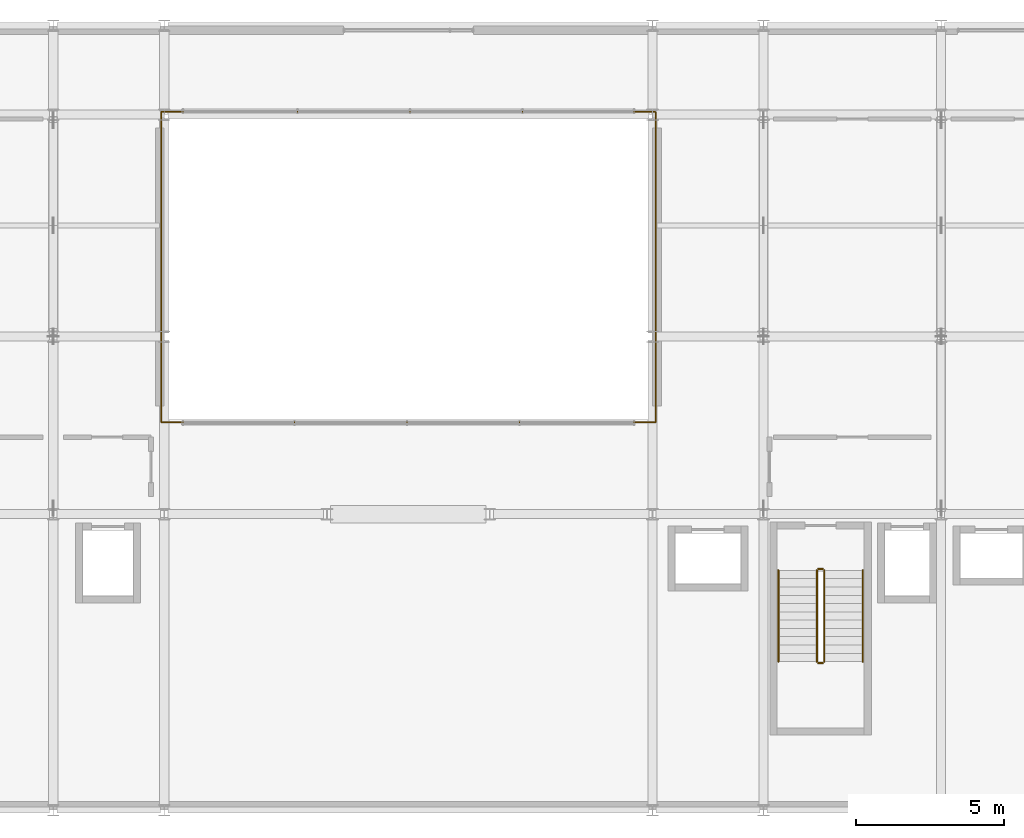
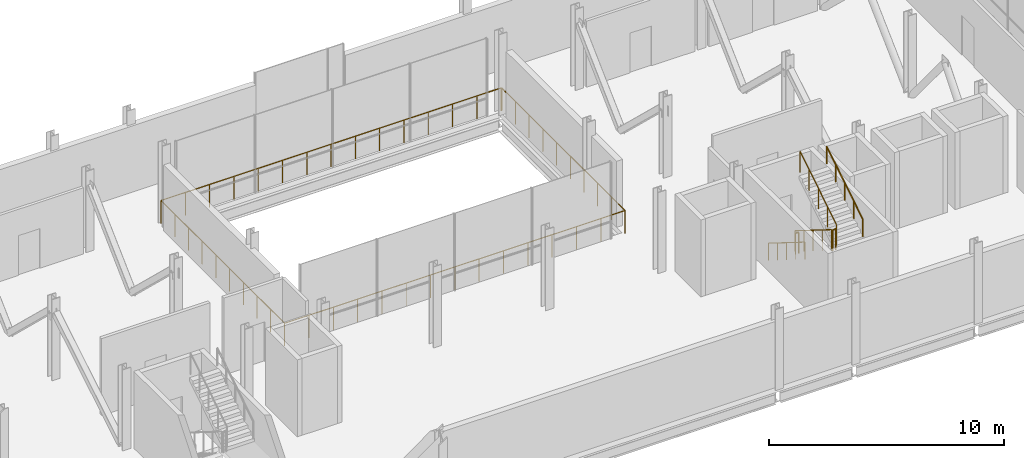
# One storey, part 32 of 33: 8 railings.
"""IFC4 building model written with IfcOpenShell, lengths in metres."""

from ifc_helpers import new_model, si_unit, direction, frame, origin, origin_2d, place, context, subcontext, project, spatial, circle, extrude, material, type_object, element, save


model = new_model("IFC4")

# Units and contexts
model_context = context("Model", 3, precision=1e-05, world=origin(), true_north=direction((0.0, 1.0)))
body_context = subcontext(model_context, "Body", "Model", "MODEL_VIEW")
ifc_project = project(units=[si_unit("LENGTHUNIT", "METRE"), si_unit("AREAUNIT", "SQUARE_METRE"), si_unit("VOLUMEUNIT", "CUBIC_METRE"), si_unit("PLANEANGLEUNIT", "RADIAN"), si_unit("MASSUNIT", "GRAM", prefix="KILO")], contexts=[model_context])

# Site, building, storey
site_placement = place(None, origin())
site = spatial("IfcSite", under=ifc_project, at=site_placement, CompositionType="ELEMENT")
building_placement = place(site_placement, origin())
building = spatial("IfcBuilding", under=site, at=building_placement, Name="Brevholm Reach", CompositionType="ELEMENT")
storey_placement = place(building_placement, frame((0.0, 0.0, 179.0)))
storey = spatial("IfcBuildingStorey", under=building, at=storey_placement, Name="L54", CompositionType="ELEMENT", Elevation=179.0)

# Railings
ifc_material_1 = material(Name="Brushed Stainless Steel EN 1.4401 Continuous Handrail", Category="steel")
railing_type_1 = type_object("IfcRailingType", Name="RAL-HND-950", PredefinedType="HANDRAIL", material=ifc_material_1)
railing_1_placement = place(storey_placement, frame((42.5, 8.10009765625, 0.175048828125)))
element("IfcRailing", 1, at=railing_1_placement, inside=storey, type_object=railing_type_1, Name="L54 ST-2 stair handrail 1", PredefinedType="HANDRAIL", context=body_context, shape_type="SweptSolid", body=[
    extrude(circle(Radius=0.02392578125, at=origin_2d()), frame((0.0, 0.0, 0.8857421875), z_axis=(0.0, -0.847998304005, 0.529998940003), x_axis=(1.0, 0.0, 0.0)), (0.0, 0.0, 1.0), 3.632080078125),
    extrude(circle(Radius=0.02099609375, at=origin_2d()), origin(), (0.0, 0.0, 1.0), 0.86181640625),
    extrude(circle(Radius=0.02099609375, at=origin_2d()), frame((0.0, -0.77001953125, 0.481201171875)), (0.0, 0.0, 1.0), 0.86181640625),
    extrude(circle(Radius=0.02099609375, at=origin_2d()), frame((0.0, -1.5400390625, 0.96240234375)), (0.0, 0.0, 1.0), 0.86181640625),
    extrude(circle(Radius=0.02099609375, at=origin_2d()), frame((0.0, -2.31005859375, 1.44384765625)), (0.0, 0.0, 1.0), 0.86181640625),
    extrude(circle(Radius=0.02099609375, at=origin_2d()), frame((0.0, -3.080078125, 1.925048828125)), (0.0, 0.0, 1.0), 0.86181640625),
])
railing_2_placement = place(storey_placement, frame((45.35009765625, 5.02001953125, 2.27490234375)))
element("IfcRailing", 2, at=railing_2_placement, inside=storey, type_object=railing_type_1, Name="L54 ST-2 stair handrail 2", PredefinedType="HANDRAIL", context=body_context, shape_type="SweptSolid", body=[
    extrude(circle(Radius=0.02392578125, at=origin_2d()), frame((0.0, 0.0, 0.8857421875), z_axis=(0.0, 0.847998304005, 0.529998940003), x_axis=(-1.0, 0.0, 0.0)), (0.0, 0.0, 1.0), 3.632080078125),
    extrude(circle(Radius=0.02099609375, at=origin_2d()), origin(), (0.0, 0.0, 1.0), 0.86181640625),
    extrude(circle(Radius=0.02099609375, at=origin_2d()), frame((0.0, 0.77001953125, 0.481201171875)), (0.0, 0.0, 1.0), 0.86181640625),
    extrude(circle(Radius=0.02099609375, at=origin_2d()), frame((0.0, 1.5400390625, 0.96240234375)), (0.0, 0.0, 1.0), 0.86181640625),
    extrude(circle(Radius=0.02099609375, at=origin_2d()), frame((0.0, 2.31005859375, 1.44384765625)), (0.0, 0.0, 1.0), 0.86181640625),
    extrude(circle(Radius=0.02099609375, at=origin_2d()), frame((0.0, 3.080078125, 1.925048828125)), (0.0, 0.0, 1.0), 0.86181640625),
])
ifc_material_2 = material(Name="Painted Tubular Galvanised Steel S275JR Stair Guard", Category="steel")
railing_type_2 = type_object("IfcRailingType", Name="RAL-STG-1120", PredefinedType="BALUSTRADE", material=ifc_material_2)
railing_3_placement = place(storey_placement, frame((43.800048828125, 8.10009765625, 0.175048828125)))
element("IfcRailing", 3, at=railing_3_placement, inside=storey, type_object=railing_type_2, Name="L54 ST-2 stair guard 1", PredefinedType="BALUSTRADE", context=body_context, shape_type="SweptSolid", body=[
    extrude(circle(Radius=0.02392578125, at=origin_2d()), frame((0.0, 0.0, 1.076171875), z_axis=(0.0, -0.847998304005, 0.529998940003), x_axis=(1.0, 0.0, 0.0)), (0.0, 0.0, 1.0), 3.632080078125),
    extrude(circle(Radius=0.02099609375, at=origin_2d()), origin(), (0.0, 0.0, 1.0), 1.052001953125),
    extrude(circle(Radius=0.02099609375, at=origin_2d()), frame((0.0, -0.77001953125, 0.481201171875)), (0.0, 0.0, 1.0), 1.052001953125),
    extrude(circle(Radius=0.02099609375, at=origin_2d()), frame((0.0, -1.5400390625, 0.96240234375)), (0.0, 0.0, 1.0), 1.052001953125),
    extrude(circle(Radius=0.02099609375, at=origin_2d()), frame((0.0, -2.31005859375, 1.44384765625)), (0.0, 0.0, 1.0), 1.052001953125),
    extrude(circle(Radius=0.02099609375, at=origin_2d()), frame((0.0, -3.080078125, 1.925048828125)), (0.0, 0.0, 1.0), 1.052001953125),
])
railing_4_placement = place(storey_placement, frame((43.85009765625, 4.969970703125, 2.10009765625)))
element("IfcRailing", 4, at=railing_4_placement, inside=storey, type_object=railing_type_2, Name="L54 ST-2 stair guard 2", PredefinedType="BALUSTRADE", context=body_context, shape_type="SweptSolid", body=[
    extrude(circle(Radius=0.02392578125, at=origin_2d()), frame((0.0, 0.0, 1.076171875), z_axis=(1.0, 0.0, 0.0), x_axis=(0.0, 1.0, 0.0)), (0.0, 0.0, 1.0), 0.14990234375),
    extrude(circle(Radius=0.02099609375, at=origin_2d()), origin(), (0.0, 0.0, 1.0), 1.052001953125),
    extrude(circle(Radius=0.02099609375, at=origin_2d()), frame((0.14990234375, 0.0, 0.0)), (0.0, 0.0, 1.0), 1.052001953125),
])
railing_5_placement = place(storey_placement, frame((44.050048828125, 5.02001953125, 2.27490234375)))
element("IfcRailing", 5, at=railing_5_placement, inside=storey, type_object=railing_type_2, Name="L54 ST-2 stair guard 3", PredefinedType="BALUSTRADE", context=body_context, shape_type="SweptSolid", body=[
    extrude(circle(Radius=0.02392578125, at=origin_2d()), frame((0.0, 0.0, 1.076171875), z_axis=(0.0, 0.847998304005, 0.529998940003), x_axis=(-1.0, 0.0, 0.0)), (0.0, 0.0, 1.0), 3.632080078125),
    extrude(circle(Radius=0.02099609375, at=origin_2d()), origin(), (0.0, 0.0, 1.0), 1.052001953125),
    extrude(circle(Radius=0.02099609375, at=origin_2d()), frame((0.0, 0.77001953125, 0.481201171875)), (0.0, 0.0, 1.0), 1.052001953125),
    extrude(circle(Radius=0.02099609375, at=origin_2d()), frame((0.0, 1.5400390625, 0.96240234375)), (0.0, 0.0, 1.0), 1.052001953125),
    extrude(circle(Radius=0.02099609375, at=origin_2d()), frame((0.0, 2.31005859375, 1.44384765625)), (0.0, 0.0, 1.0), 1.052001953125),
    extrude(circle(Radius=0.02099609375, at=origin_2d()), frame((0.0, 3.080078125, 1.925048828125)), (0.0, 0.0, 1.0), 1.052001953125),
])
railing_6_placement = place(storey_placement, frame((43.85009765625, 8.14990234375, 0.0)))
element("IfcRailing", 6, at=railing_6_placement, inside=storey, type_object=railing_type_2, Name="L54 ST-2 stair guard 4", PredefinedType="BALUSTRADE", context=body_context, shape_type="SweptSolid", body=[
    extrude(circle(Radius=0.02392578125, at=origin_2d()), frame((0.0, 0.0, 1.076171875), z_axis=(1.0, 0.0, 0.0), x_axis=(0.0, 1.0, 0.0)), (0.0, 0.0, 1.0), 0.14990234375),
    extrude(circle(Radius=0.02099609375, at=origin_2d()), origin(), (0.0, 0.0, 1.0), 1.052001953125),
    extrude(circle(Radius=0.02099609375, at=origin_2d()), frame((0.14990234375, 0.0, 0.0)), (0.0, 0.0, 1.0), 1.052001953125),
])
ifc_material_3 = material(Name="Brushed Stainless Steel EN 1.4401 and Laminated Glass", Category="steel")
railing_type_3 = type_object("IfcRailingType", Name="RAL-TERR-1200", PredefinedType="BALUSTRADE", material=ifc_material_3)
railing_7_placement = place(storey_placement, frame((21.64990234375, 13.10009765625, 0.0)))
element("IfcRailing", 7, at=railing_7_placement, inside=storey, type_object=railing_type_3, Name="L54 Guard Balustrade RAL-L54-AT-VOID-SW", PredefinedType="BALUSTRADE", context=body_context, shape_type="SweptSolid", body=[
    extrude(circle(Radius=0.02392578125, at=origin_2d()), frame((0.0, 0.0, 1.17578125), z_axis=(1.0, 0.0, 0.0), x_axis=(0.0, 1.0, 0.0)), (0.0, 0.0, 1.0), 16.7001953125),
    extrude(circle(Radius=0.02392578125, at=origin_2d()), frame((16.7001953125, 0.0, 1.17578125), z_axis=(0.0, 1.0, 0.0), x_axis=(-1.0, 0.0, 0.0)), (0.0, 0.0, 1.0), 10.47998046875),
    extrude(circle(Radius=0.02099609375, at=origin_2d()), origin(), (0.0, 0.0, 1.0), 1.15185546875),
    extrude(circle(Radius=0.02099609375, at=origin_2d()), frame((1.19287109375, 0.0, 0.0)), (0.0, 0.0, 1.0), 1.15185546875),
    extrude(circle(Radius=0.02099609375, at=origin_2d()), frame((2.3857421875, 0.0, 0.0)), (0.0, 0.0, 1.0), 1.15185546875),
    extrude(circle(Radius=0.02099609375, at=origin_2d()), frame((3.57861328125, 0.0, 0.0)), (0.0, 0.0, 1.0), 1.15185546875),
    extrude(circle(Radius=0.02099609375, at=origin_2d()), frame((4.771484375, 0.0, 0.0)), (0.0, 0.0, 1.0), 1.15185546875),
    extrude(circle(Radius=0.02099609375, at=origin_2d()), frame((5.96435546875, 0.0, 0.0)), (0.0, 0.0, 1.0), 1.15185546875),
    extrude(circle(Radius=0.02099609375, at=origin_2d()), frame((7.1572265625, 0.0, 0.0)), (0.0, 0.0, 1.0), 1.15185546875),
    extrude(circle(Radius=0.02099609375, at=origin_2d()), frame((8.35009765625, 0.0, 0.0)), (0.0, 0.0, 1.0), 1.15185546875),
    extrude(circle(Radius=0.02099609375, at=origin_2d()), frame((9.54296875, 0.0, 0.0)), (0.0, 0.0, 1.0), 1.15185546875),
    extrude(circle(Radius=0.02099609375, at=origin_2d()), frame((10.73583984375, 0.0, 0.0)), (0.0, 0.0, 1.0), 1.15185546875),
    extrude(circle(Radius=0.02099609375, at=origin_2d()), frame((11.9287109375, 0.0, 0.0)), (0.0, 0.0, 1.0), 1.15185546875),
    extrude(circle(Radius=0.02099609375, at=origin_2d()), frame((13.12158203125, 0.0, 0.0)), (0.0, 0.0, 1.0), 1.15185546875),
    extrude(circle(Radius=0.02099609375, at=origin_2d()), frame((14.314453125, 0.0, 0.0)), (0.0, 0.0, 1.0), 1.15185546875),
    extrude(circle(Radius=0.02099609375, at=origin_2d()), frame((15.50732421875, 0.0, 0.0)), (0.0, 0.0, 1.0), 1.15185546875),
    extrude(circle(Radius=0.02099609375, at=origin_2d()), frame((16.7001953125, 0.0, 0.0)), (0.0, 0.0, 1.0), 1.15185546875),
    extrude(circle(Radius=0.02099609375, at=origin_2d()), frame((16.7001953125, 1.16455078125, 0.0)), (0.0, 0.0, 1.0), 1.15185546875),
    extrude(circle(Radius=0.02099609375, at=origin_2d()), frame((16.7001953125, 2.328857421875, 0.0)), (0.0, 0.0, 1.0), 1.15185546875),
    extrude(circle(Radius=0.02099609375, at=origin_2d()), frame((16.7001953125, 3.493408203125, 0.0)), (0.0, 0.0, 1.0), 1.15185546875),
    extrude(circle(Radius=0.02099609375, at=origin_2d()), frame((16.7001953125, 4.65771484375, 0.0)), (0.0, 0.0, 1.0), 1.15185546875),
    extrude(circle(Radius=0.02099609375, at=origin_2d()), frame((16.7001953125, 5.822265625, 0.0)), (0.0, 0.0, 1.0), 1.15185546875),
    extrude(circle(Radius=0.02099609375, at=origin_2d()), frame((16.7001953125, 6.986572265625, 0.0)), (0.0, 0.0, 1.0), 1.15185546875),
    extrude(circle(Radius=0.02099609375, at=origin_2d()), frame((16.7001953125, 8.151123046875, 0.0)), (0.0, 0.0, 1.0), 1.15185546875),
    extrude(circle(Radius=0.02099609375, at=origin_2d()), frame((16.7001953125, 9.3154296875, 0.0)), (0.0, 0.0, 1.0), 1.15185546875),
    extrude(circle(Radius=0.02099609375, at=origin_2d()), frame((16.7001953125, 10.47998046875, 0.0)), (0.0, 0.0, 1.0), 1.15185546875),
])
railing_8_placement = place(storey_placement, frame((38.330078125, 23.60009765625, 0.0)))
element("IfcRailing", 8, at=railing_8_placement, inside=storey, type_object=railing_type_3, Name="L54 Guard Balustrade RAL-L54-AT-VOID-NE", PredefinedType="BALUSTRADE", context=body_context, shape_type="SweptSolid", body=[
    extrude(circle(Radius=0.02392578125, at=origin_2d()), frame((0.0, 0.0, 1.17578125), z_axis=(-1.0, 0.0, 0.0), x_axis=(0.0, -1.0, 0.0)), (0.0, 0.0, 1.0), 16.68017578125),
    extrude(circle(Radius=0.02392578125, at=origin_2d()), frame((-16.68017578125, 0.0, 1.17578125), z_axis=(0.0, -1.0, 0.0), x_axis=(1.0, 0.0, 0.0)), (0.0, 0.0, 1.0), 10.47998046875),
    extrude(circle(Radius=0.02099609375, at=origin_2d()), origin(), (0.0, 0.0, 1.0), 1.15185546875),
    extrude(circle(Radius=0.02099609375, at=origin_2d()), frame((-1.19140625, 0.0, 0.0)), (0.0, 0.0, 1.0), 1.15185546875),
    extrude(circle(Radius=0.02099609375, at=origin_2d()), frame((-2.3828125, 0.0, 0.0)), (0.0, 0.0, 1.0), 1.15185546875),
    extrude(circle(Radius=0.02099609375, at=origin_2d()), frame((-3.57421875, 0.0, 0.0)), (0.0, 0.0, 1.0), 1.15185546875),
    extrude(circle(Radius=0.02099609375, at=origin_2d()), frame((-4.765869140625, 0.0, 0.0)), (0.0, 0.0, 1.0), 1.15185546875),
    extrude(circle(Radius=0.02099609375, at=origin_2d()), frame((-5.957275390625, 0.0, 0.0)), (0.0, 0.0, 1.0), 1.15185546875),
    extrude(circle(Radius=0.02099609375, at=origin_2d()), frame((-7.148681640625, 0.0, 0.0)), (0.0, 0.0, 1.0), 1.15185546875),
    extrude(circle(Radius=0.02099609375, at=origin_2d()), frame((-8.340087890625, 0.0, 0.0)), (0.0, 0.0, 1.0), 1.15185546875),
    extrude(circle(Radius=0.02099609375, at=origin_2d()), frame((-9.531494140625, 0.0, 0.0)), (0.0, 0.0, 1.0), 1.15185546875),
    extrude(circle(Radius=0.02099609375, at=origin_2d()), frame((-10.722900390625, 0.0, 0.0)), (0.0, 0.0, 1.0), 1.15185546875),
    extrude(circle(Radius=0.02099609375, at=origin_2d()), frame((-11.914306640625, 0.0, 0.0)), (0.0, 0.0, 1.0), 1.15185546875),
    extrude(circle(Radius=0.02099609375, at=origin_2d()), frame((-13.10595703125, 0.0, 0.0)), (0.0, 0.0, 1.0), 1.15185546875),
    extrude(circle(Radius=0.02099609375, at=origin_2d()), frame((-14.29736328125, 0.0, 0.0)), (0.0, 0.0, 1.0), 1.15185546875),
    extrude(circle(Radius=0.02099609375, at=origin_2d()), frame((-15.48876953125, 0.0, 0.0)), (0.0, 0.0, 1.0), 1.15185546875),
    extrude(circle(Radius=0.02099609375, at=origin_2d()), frame((-16.68017578125, 0.0, 0.0)), (0.0, 0.0, 1.0), 1.15185546875),
    extrude(circle(Radius=0.02099609375, at=origin_2d()), frame((-16.68017578125, -1.16455078125, 0.0)), (0.0, 0.0, 1.0), 1.15185546875),
    extrude(circle(Radius=0.02099609375, at=origin_2d()), frame((-16.68017578125, -2.328857421875, 0.0)), (0.0, 0.0, 1.0), 1.15185546875),
    extrude(circle(Radius=0.02099609375, at=origin_2d()), frame((-16.68017578125, -3.493408203125, 0.0)), (0.0, 0.0, 1.0), 1.15185546875),
    extrude(circle(Radius=0.02099609375, at=origin_2d()), frame((-16.68017578125, -4.65771484375, 0.0)), (0.0, 0.0, 1.0), 1.15185546875),
    extrude(circle(Radius=0.02099609375, at=origin_2d()), frame((-16.68017578125, -5.822265625, 0.0)), (0.0, 0.0, 1.0), 1.15185546875),
    extrude(circle(Radius=0.02099609375, at=origin_2d()), frame((-16.68017578125, -6.986572265625, 0.0)), (0.0, 0.0, 1.0), 1.15185546875),
    extrude(circle(Radius=0.02099609375, at=origin_2d()), frame((-16.68017578125, -8.151123046875, 0.0)), (0.0, 0.0, 1.0), 1.15185546875),
    extrude(circle(Radius=0.02099609375, at=origin_2d()), frame((-16.68017578125, -9.3154296875, 0.0)), (0.0, 0.0, 1.0), 1.15185546875),
    extrude(circle(Radius=0.02099609375, at=origin_2d()), frame((-16.68017578125, -10.47998046875, 0.0)), (0.0, 0.0, 1.0), 1.15185546875),
])

save(model, "model.ifc")
